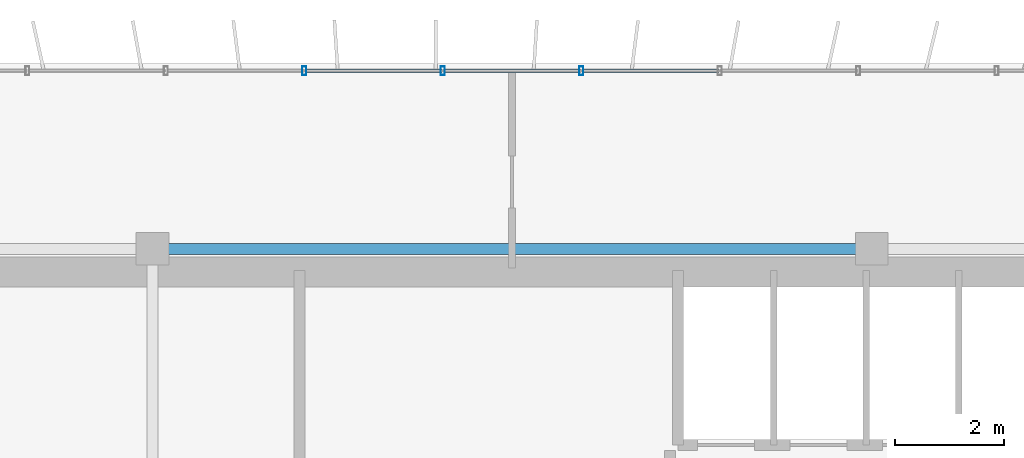
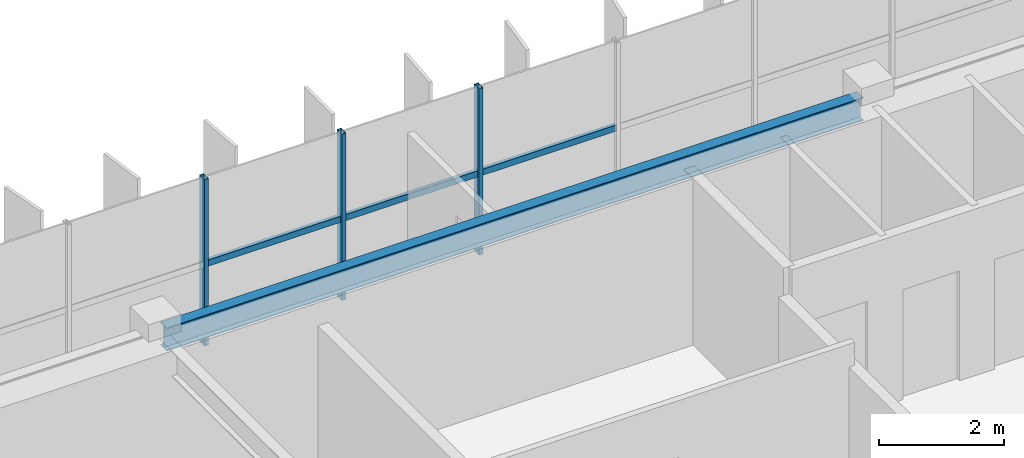
# One storey, part 13 of 28: 6 members, 1 beam, 1 element without a shape of its own.
"""IFC4 building model written with IfcOpenShell, lengths in metres."""

import ifcopenshell
import ifcopenshell.guid

model = None  # the IFC model being written
_history = None  # IfcOwnerHistory: only IFC2X3 demands one
_inside = {}  # id of a spatial element -> (the spatial element, [elements in it])
_under = {}  # id of a project, library or spatial element -> (it, [spatial elements below it])
_declared = {}  # id of a project -> (the project, [libraries it declares])
_typed = {}  # id of a type object -> (the type object, [elements of that type])
_made_of = {}  # id of a material, layer set ... -> (it, [elements and type objects made of it])


def new_model(schema):
    """Start an empty IFC model of exactly this schema.

    Asked for "IFC4X3", IfcOpenShell would pick the latest addendum, in which some entities
    have other attributes; the version numbers below select the first issue.
    IFC2X3 requires an IfcOwnerHistory on every rooted entity: one is made here for all.
    """
    global model, _history
    if schema == "IFC4X3":
        model = ifcopenshell.file(schema_version=(4, 3, 0, 0))
    else:
        model = ifcopenshell.file(schema=schema)
    _inside.clear()
    _under.clear()
    _declared.clear()
    _typed.clear()
    _made_of.clear()
    _history = None
    if model.schema == "IFC2X3":
        org = make("IfcOrganization", Name="unknown")
        user = make(
            "IfcPersonAndOrganization",
            ThePerson=make("IfcPerson", FamilyName="unknown"),
            TheOrganization=org,
        )
        app = make(
            "IfcApplication",
            ApplicationDeveloper=org,
            Version="unknown",
            ApplicationFullName="unknown",
            ApplicationIdentifier="unknown",
        )
        _history = make(
            "IfcOwnerHistory",
            OwningUser=user,
            OwningApplication=app,
            ChangeAction="ADDED",
            CreationDate=0,
        )
    return model


def make(cls, **values):
    """One entity of the class cls with the attributes given. An attribute that is None is left unset."""
    return model.create_entity(
        cls, **{name: value for name, value in values.items() if value is not None}
    )


def rooted(cls, **values):
    """An entity with a GlobalId (a new one), such as an element, a storey or a relation."""
    return make(cls, GlobalId=ifcopenshell.guid.new(), OwnerHistory=_history, **values)


def si_unit(unit_type, name, prefix=None):
    """IfcSIUnit, for example si_unit("LENGTHUNIT", "METRE", prefix="MILLI")."""
    return make("IfcSIUnit", UnitType=unit_type, Prefix=prefix, Name=name)


def assignment(units):
    """IfcUnitAssignment: the units of a project."""
    return None if units is None else make("IfcUnitAssignment", Units=units)


def point(xyz):
    """IfcCartesianPoint."""
    return None if xyz is None else make("IfcCartesianPoint", Coordinates=xyz)


def direction(xyz):
    """IfcDirection."""
    return None if xyz is None else make("IfcDirection", DirectionRatios=xyz)


def frame(location, z_axis=None, x_axis=None):
    """IfcAxis2Placement3D, a coordinate frame: its origin and axes. An axis left out is left unset."""
    return make(
        "IfcAxis2Placement3D",
        Location=point(location),
        Axis=direction(z_axis),
        RefDirection=direction(x_axis),
    )


def frame_2d(location, x_axis=None):
    """IfcAxis2Placement2D, a coordinate frame in the plane: its origin and x axis."""
    return make(
        "IfcAxis2Placement2D", Location=point(location), RefDirection=direction(x_axis)
    )


def origin():
    """The frame at (0, 0, 0) with its axes left unset."""
    return frame((0.0, 0.0, 0.0))


def origin_2d():
    """The frame at (0, 0) in the plane with its x axis left unset."""
    return frame_2d((0.0, 0.0))


def place(relative_to, where):
    """IfcLocalPlacement: puts the frame where relative to a parent placement (None: the world)."""
    return make(
        "IfcLocalPlacement", PlacementRelTo=relative_to, RelativePlacement=where
    )


def context(
    kind, dimensions, precision=None, world=None, true_north=None, identifier=None
):
    """IfcGeometricRepresentationContext, for example the 3D "Model" context."""
    return make(
        "IfcGeometricRepresentationContext",
        ContextIdentifier=identifier,
        ContextType=kind,
        CoordinateSpaceDimension=dimensions,
        Precision=precision,
        WorldCoordinateSystem=world,
        TrueNorth=true_north,
    )


def subcontext(parent, identifier, kind, view, scale=None):
    """IfcGeometricRepresentationSubContext, for example "Body" below "Model"."""
    return make(
        "IfcGeometricRepresentationSubContext",
        ContextIdentifier=identifier,
        ContextType=kind,
        ParentContext=parent,
        TargetScale=scale,
        TargetView=view,
    )


def project(units=None, contexts=None):
    """IfcProject with its units and contexts."""
    return rooted(
        "IfcProject",
        Name="project",
        RepresentationContexts=contexts,
        UnitsInContext=assignment(units),
    )


def spatial(cls, under=None, at=None, **own):
    """A site, building, storey or space (cls), placed at a placement, below another one or the project."""
    s = rooted(cls, ObjectPlacement=at, **own)
    if under is not None:
        _under.setdefault(under.id(), (under, []))[1].append(s)
    return s


def profile(cls, at=None, kind="AREA", **sizes):
    """A parametric profile (cls). Its sizes go by their IFC names, for example OverallWidth=200.0."""
    return make(cls, ProfileType=kind, Position=at, **sizes)


def hollow_rectangle(**sizes):
    """IfcRectangleHollowProfileDef."""
    return profile("IfcRectangleHollowProfileDef", **sizes)


def i_section(**sizes):
    """IfcIShapeProfileDef."""
    return profile("IfcIShapeProfileDef", **sizes)


def extrude(swept, where, along, depth):
    """IfcExtrudedAreaSolid: the profile swept, set in the frame where, extruded along a direction by depth."""
    return make(
        "IfcExtrudedAreaSolid",
        SweptArea=swept,
        Position=where,
        ExtrudedDirection=direction(along),
        Depth=depth,
    )


def shape(context_of_items, identifier, shape_type, items):
    """IfcShapeRepresentation: the items that make up one representation, for example the "Body"."""
    return make(
        "IfcShapeRepresentation",
        ContextOfItems=context_of_items,
        RepresentationIdentifier=identifier,
        RepresentationType=shape_type,
        Items=items,
    )


def source(mapping_origin, context_of_items, identifier, shape_type, items):
    """IfcRepresentationMap: a shape defined once, which mapped items show again and again."""
    return make(
        "IfcRepresentationMap",
        MappingOrigin=mapping_origin,
        MappedRepresentation=shape(context_of_items, identifier, shape_type, items),
    )


def transform(
    local_origin,
    x_axis=None,
    y_axis=None,
    z_axis=None,
    scale=None,
    scale2=None,
    scale3=None,
    uniform=True,
):
    """IfcCartesianTransformationOperator3D, or its non-uniform kind. x_axis, y_axis, z_axis: its Axis1, 2, 3."""
    if uniform:
        return make(
            "IfcCartesianTransformationOperator3D",
            Axis1=direction(x_axis),
            Axis2=direction(y_axis),
            LocalOrigin=point(local_origin),
            Scale=scale,
            Axis3=direction(z_axis),
        )
    return make(
        "IfcCartesianTransformationOperator3DnonUniform",
        Axis1=direction(x_axis),
        Axis2=direction(y_axis),
        LocalOrigin=point(local_origin),
        Scale=scale,
        Axis3=direction(z_axis),
        Scale2=scale2,
        Scale3=scale3,
    )


def mapped(mapping_source, mapping_target):
    """IfcMappedItem: shows the shape of a source again, moved by a transform."""
    return make(
        "IfcMappedItem", MappingSource=mapping_source, MappingTarget=mapping_target
    )


def material(Name=None, Category=None):
    """IfcMaterial."""
    return make("IfcMaterial", Name=Name, Category=Category)


def material_profile(
    of_material, cross_section, Name=None, Category=None, Priority=None
):
    """IfcMaterialProfile: a cross section and its material."""
    return make(
        "IfcMaterialProfile",
        Name=Name,
        Material=of_material,
        Profile=cross_section,
        Priority=Priority,
        Category=Category,
    )


def profile_set(profiles, Name=None, composite=None):
    """IfcMaterialProfileSet."""
    return make(
        "IfcMaterialProfileSet",
        Name=Name,
        MaterialProfiles=profiles,
        CompositeProfile=composite,
    )


def made_of(thing, what):
    """Note that an element or type object is made of a material, layer set ...; save() writes the relation."""
    if what is not None:
        _made_of.setdefault(what.id(), (what, []))[1].append(thing)
    return thing


def type_object(cls, material=None, **own):
    """A type object (cls), such as IfcWallType, which elements share."""
    return made_of(rooted(cls, **own), material)


def element(
    cls,
    number,
    at=None,
    inside=None,
    cuts=None,
    type_object=None,
    material=None,
    context=None,
    identifier="Body",
    shape_type=None,
    held_by="IfcProductDefinitionShape",
    body=None,
    shapes=None,
    **own,
):
    """One element of the class cls, such as IfcWall. Its Tag is "e" and its number.

    at: its placement. inside: the storey or other place that contains it. cuts: it is an
    opening in that element (IfcRelVoidsElement). A single representation is given by context,
    identifier, shape_type and body (its items); several are given by shapes. held_by: the class
    of the entity that holds the representations. save() writes the other relations.
    """
    e = rooted(cls, Tag="e%d" % number, ObjectPlacement=at, **own)
    if body is not None:
        shapes = [shape(context, identifier, shape_type, body)]
    if shapes is not None:
        e.Representation = make(held_by, Representations=shapes)
    if inside is not None:
        _inside.setdefault(inside.id(), (inside, []))[1].append(e)
    if cuts is not None:
        rooted(
            "IfcRelVoidsElement", RelatingBuildingElement=cuts, RelatedOpeningElement=e
        )
    if type_object is not None:
        _typed.setdefault(type_object.id(), (type_object, []))[1].append(e)
    return made_of(e, material)


def aggregate(whole, parts):
    """IfcRelAggregates: a whole, such as a stair, and the parts it consists of."""
    return rooted("IfcRelAggregates", RelatingObject=whole, RelatedObjects=parts)


def save(model, path):
    """Write the relations noted so far, then the file.

    IfcRelAggregates (storeys below a building ...), IfcRelContainedInSpatialStructure (elements
    in a storey), IfcRelDefinesByType, IfcRelAssociatesMaterial and IfcRelDeclares: one each for
    every whole, place, type object, material and project.
    """
    for whole, parts in _under.values():
        aggregate(whole, parts)
    for where, things in _inside.values():
        rooted(
            "IfcRelContainedInSpatialStructure",
            RelatedElements=things,
            RelatingStructure=where,
        )
    for kind, things in _typed.values():
        rooted("IfcRelDefinesByType", RelatedObjects=things, RelatingType=kind)
    for what, things in _made_of.values():
        rooted("IfcRelAssociatesMaterial", RelatedObjects=things, RelatingMaterial=what)
    for by, libraries in _declared.values():
        rooted("IfcRelDeclares", RelatingContext=by, RelatedDefinitions=libraries)
    model.write(path)


model = new_model("IFC4")

# Units and contexts
model_context = context("Model", 3, precision=1e-05, world=origin(), true_north=direction((0.0, 1.0)))
body_context = subcontext(model_context, "Body", "Model", "MODEL_VIEW")
ifc_project = project(units=[si_unit("LENGTHUNIT", "METRE"), si_unit("AREAUNIT", "SQUARE_METRE"), si_unit("VOLUMEUNIT", "CUBIC_METRE"), si_unit("PLANEANGLEUNIT", "RADIAN"), si_unit("MASSUNIT", "GRAM", prefix="KILO")], contexts=[model_context])

# Site, building, storey
site_placement = place(None, origin())
site = spatial("IfcSite", under=ifc_project, at=site_placement, CompositionType="ELEMENT")
building_placement = place(site_placement, origin())
building = spatial("IfcBuilding", under=site, at=building_placement, Name="Trelvane Seafront Commons", CompositionType="ELEMENT")
storey_placement = place(building_placement, frame((0.0, 0.0, 295.5)))
storey = spatial("IfcBuildingStorey", under=building, at=storey_placement, Name="L77", CompositionType="ELEMENT", Elevation=295.5)

# Beam
ifc_material_1 = material(Name="Steel SM355 (S355)", Category="steel")
ifc_material_profile_1 = material_profile(ifc_material_1, i_section(OverallWidth=0.199951171875, OverallDepth=0.449951171875, WebThickness=0.009033203125, FlangeThickness=0.013916015625, at=origin_2d()), Name="H-450x200x9x14")
ifc_profile_set_1 = profile_set([ifc_material_profile_1], Name="Steel SM355 (S355)")
beam_type = type_object("IfcBeamType", Name="STR-SPD-H450", PredefinedType="SPANDREL", material=ifc_profile_set_1)
shared_shape_1 = source(origin(), body_context, "Body", "SweptSolid", [
    extrude(i_section(OverallWidth=0.199951171875, OverallDepth=0.449951171875, WebThickness=0.009033203125, FlangeThickness=0.013916015625, at=origin_2d()), origin(), (0.0, 0.0, 1.0), 12.89990234375),
])
beam_placement = place(storey_placement, frame((30.75, 45.10009765625, 3.034912109375), z_axis=(1.0, 0.0, 0.0), x_axis=(0.0, 1.0, 0.0)))
element("IfcBeam", 1, at=beam_placement, inside=storey, type_object=beam_type, Name="L77 Primary Girder G-25", PredefinedType="SPANDREL", context=body_context, shape_type="MappedRepresentation", body=[
    mapped(shared_shape_1, transform((0.0, 0.0, 0.0), x_axis=(1.0, 0.0, 0.0), y_axis=(0.0, 1.0, 0.0), z_axis=(0.0, 0.0, 1.0), scale=1.0)),
])

# Curtain wall, members
ifc_material_2 = material(Name="Anodised pale-silver aluminium", Category="aluminium")
curtain_wall_type = type_object("IfcCurtainWallType", Name="ARCH-CW5-UPTOWER", PredefinedType="NOTDEFINED", material=ifc_material_2)
curtain_wall_placement = place(storey_placement, origin())
curtain_wall = element("IfcCurtainWall", 2, at=curtain_wall_placement, inside=storey, type_object=curtain_wall_type, Name="CW-L77-0122", PredefinedType="NOTDEFINED")
ifc_material_profile_2 = material_profile(ifc_material_2, hollow_rectangle(XDim=0.070068359375, YDim=0.1201171875, WallThickness=0.00390625, at=origin_2d()), Name="TRAN-70x120x4")
ifc_profile_set_2 = profile_set([ifc_material_profile_2], Name="Anodised pale-silver aluminium")
member_type_1 = type_object("IfcMemberType", Name="ARCH-CW-TRAN-120", PredefinedType="USERDEFINED", material=ifc_profile_set_2)
shared_shape_2 = source(origin(), body_context, "Body", "SweptSolid", [
    extrude(hollow_rectangle(XDim=0.070068359375, YDim=0.1201171875, WallThickness=0.00390625, at=origin_2d()), origin(), (0.0, 0.0, 1.0), 2.51708984375),
])
member_1_placement = place(storey_placement, frame((35.94140625, 48.3701171875, 1.56494140625), z_axis=(1.0, 0.0, 0.0), x_axis=(0.0, 1.0, 0.0)))
member_1 = element("IfcMember", 3, at=member_1_placement, type_object=member_type_1, Name="CW-L77-0122-T08", ObjectType="TRANSOM", PredefinedType="USERDEFINED", context=body_context, shape_type="MappedRepresentation", body=[
    mapped(shared_shape_2, transform((0.0, 0.0, 0.0), x_axis=(1.0, 0.0, 0.0), y_axis=(0.0, 1.0, 0.0), z_axis=(0.0, 0.0, 1.0), scale=1.0)),
])
member_2_placement = place(storey_placement, frame((38.482666015625, 48.3701171875, 1.56494140625), z_axis=(1.0, 0.0, 0.0), x_axis=(0.0, 1.0, 0.0)))
member_2 = element("IfcMember", 4, at=member_2_placement, type_object=member_type_1, Name="CW-L77-0122-T09", ObjectType="TRANSOM", PredefinedType="USERDEFINED", context=body_context, shape_type="MappedRepresentation", body=[
    mapped(shared_shape_2, transform((0.0, 0.0, 0.0), x_axis=(1.0, 0.0, 0.0), y_axis=(0.0, 1.0, 0.0), z_axis=(0.0, 0.0, 1.0), scale=1.0)),
])
shared_shape_3 = source(origin(), body_context, "Body", "SweptSolid", [
    extrude(hollow_rectangle(XDim=0.070068359375, YDim=0.1201171875, WallThickness=0.00390625, at=origin_2d()), origin(), (0.0, 0.0, 1.0), 2.517333984375),
])
member_3_placement = place(storey_placement, frame((33.400146484375, 48.3701171875, 1.56494140625), z_axis=(1.0, 0.0, 0.0), x_axis=(0.0, 1.0, 0.0)))
member_3 = element("IfcMember", 5, at=member_3_placement, type_object=member_type_1, Name="CW-L77-0122-T07", ObjectType="TRANSOM", PredefinedType="USERDEFINED", context=body_context, shape_type="MappedRepresentation", body=[
    mapped(shared_shape_3, transform((0.0, 0.0, 0.0), x_axis=(1.0, 0.0, 0.0), y_axis=(0.0, 1.0, 0.0), z_axis=(0.0, 0.0, 1.0), scale=1.0)),
])
ifc_material_profile_3 = material_profile(ifc_material_2, hollow_rectangle(XDim=0.074951171875, YDim=0.159912109375, WallThickness=0.00390625, at=origin_2d()), Name="MULL-75x160x4")
ifc_profile_set_3 = profile_set([ifc_material_profile_3], Name="Anodised pale-silver aluminium")
member_type_2 = type_object("IfcMemberType", Name="ARCH-CW-MULL-160", PredefinedType="MULLION", material=ifc_profile_set_3)
shared_shape_4 = source(origin(), body_context, "Body", "SweptSolid", [
    extrude(hollow_rectangle(XDim=0.074951171875, YDim=0.159912109375, WallThickness=0.00390625, at=origin_2d()), origin(), (0.0, 0.0, 1.0), 3.260009765625),
])
member_4_placement = place(storey_placement, frame((33.38818359375, 48.3701171875, 0.0), z_axis=(0.0, 0.0, 1.0), x_axis=(1.0, 0.0, 0.0)))
member_4 = element("IfcMember", 6, at=member_4_placement, type_object=member_type_2, Name="CW-L77-0122-M07", PredefinedType="MULLION", context=body_context, shape_type="MappedRepresentation", body=[
    mapped(shared_shape_4, transform((0.0, 0.0, 0.0), x_axis=(1.0, 0.0, 0.0), y_axis=(0.0, 1.0, 0.0), z_axis=(0.0, 0.0, 1.0), scale=1.0)),
])
member_5_placement = place(storey_placement, frame((35.929443359375, 48.3701171875, 0.0), z_axis=(0.0, 0.0, 1.0), x_axis=(1.0, 0.0, 0.0)))
member_5 = element("IfcMember", 7, at=member_5_placement, type_object=member_type_2, Name="CW-L77-0122-M08", PredefinedType="MULLION", context=body_context, shape_type="MappedRepresentation", body=[
    mapped(shared_shape_4, transform((0.0, 0.0, 0.0), x_axis=(1.0, 0.0, 0.0), y_axis=(0.0, 1.0, 0.0), z_axis=(0.0, 0.0, 1.0), scale=1.0)),
])
member_6_placement = place(storey_placement, frame((38.470703125, 48.3701171875, 0.0), z_axis=(0.0, 0.0, 1.0), x_axis=(1.0, 0.0, 0.0)))
member_6 = element("IfcMember", 8, at=member_6_placement, type_object=member_type_2, Name="CW-L77-0122-M09", PredefinedType="MULLION", context=body_context, shape_type="MappedRepresentation", body=[
    mapped(shared_shape_4, transform((0.0, 0.0, 0.0), x_axis=(1.0, 0.0, 0.0), y_axis=(0.0, 1.0, 0.0), z_axis=(0.0, 0.0, 1.0), scale=1.0)),
])
aggregate(curtain_wall, [member_4, member_5, member_6, member_3, member_1, member_2])

save(model, "model.ifc")
